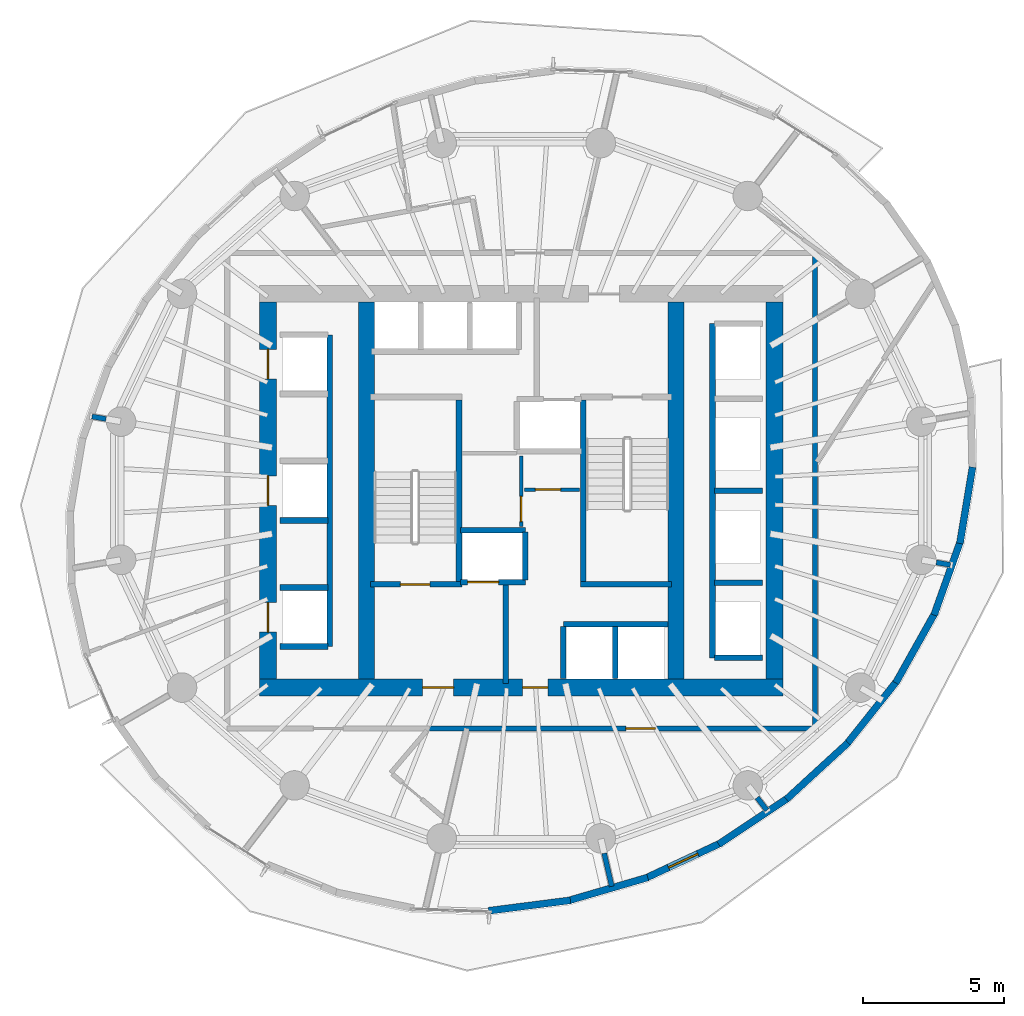
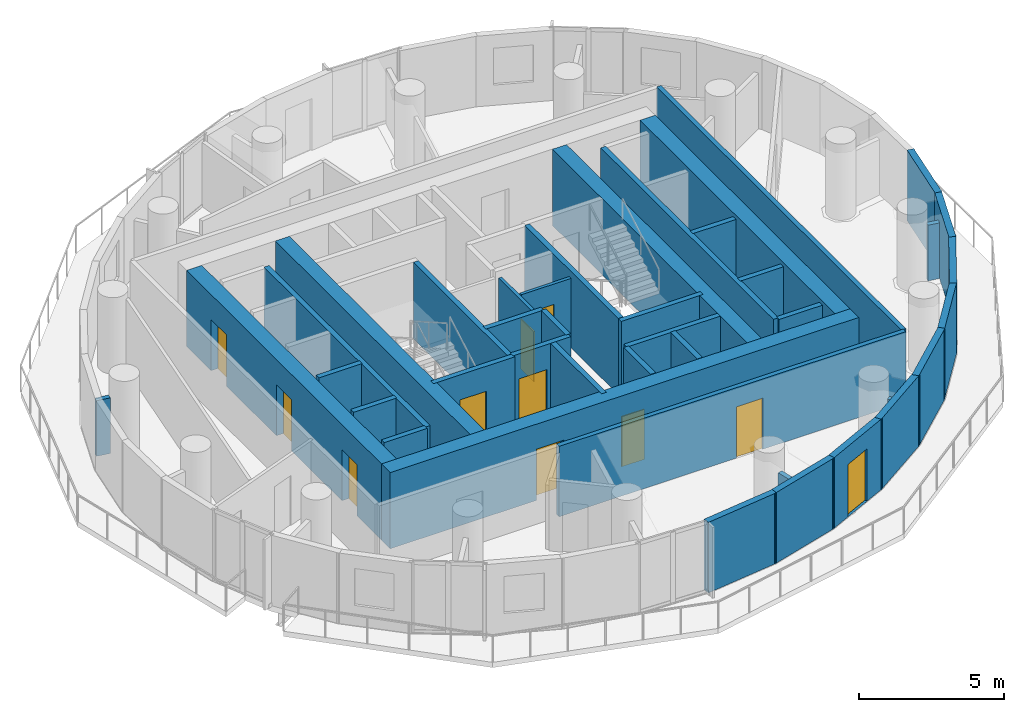
# One storey, part 6 of 13: 41 walls, 11 doors, 11 openings.
"""IFC4 building model written with IfcOpenShell, lengths in metres."""

from ifc_helpers import new_model, si_unit, direction, frame, frame_2d, origin, place, context, subcontext, project, spatial, rectangle, extrude, material, layer, layer_set, type_object, element, fill, save


model = new_model("IFC4")

# Units and contexts
model_context = context("Model", 3, precision=1e-05, world=origin(), true_north=direction((0.0, 1.0)))
body_context = subcontext(model_context, "Body", "Model", "MODEL_VIEW")
ifc_project = project(units=[si_unit("LENGTHUNIT", "METRE"), si_unit("AREAUNIT", "SQUARE_METRE"), si_unit("VOLUMEUNIT", "CUBIC_METRE"), si_unit("PLANEANGLEUNIT", "RADIAN"), si_unit("MASSUNIT", "GRAM", prefix="KILO")], contexts=[model_context])

# Site, building, storey
site_placement = place(None, origin())
site = spatial("IfcSite", under=ifc_project, at=site_placement, CompositionType="ELEMENT")
building_placement = place(site_placement, origin())
building = spatial("IfcBuilding", under=site, at=building_placement, Name="Veldorim Arch Residences", CompositionType="ELEMENT")
storey_placement = place(building_placement, frame((0.0, 0.0, 120.159912109375)))
storey = spatial("IfcBuildingStorey", under=building, at=storey_placement, Name="L35", CompositionType="ELEMENT", Elevation=120.159912109375)

# Wall, opening, door
ifc_material_1 = material(Name="Acoustic Gypsum Board", Category="gypsum")
ifc_layer_1 = layer(ifc_material_1, 0.125, Name="Acoustic Stud Room Partition Wall 125")
ifc_layer_set_1 = layer_set([ifc_layer_1], Name="Acoustic Gypsum Board")
wall_type_1 = type_object("IfcWallType", Name="Acoustic Stud Room Partition Wall 125", PredefinedType="PARTITIONING", material=ifc_layer_set_1)
wall_1_placement = place(storey_placement, frame((32.0, 22.719970703125, 0.0), z_axis=(0.0, 0.0, 1.0), x_axis=(0.0, 1.0, 0.0)))
wall_1 = element("IfcWall", 1, at=wall_1_placement, inside=storey, type_object=wall_type_1, Name="L35 interior wall WL-CA-L35-1", PredefinedType="PARTITIONING", context=body_context, shape_type="SweptSolid", body=[
    extrude(rectangle(XDim=2.52001953125, YDim=0.125, at=frame_2d((1.260009765625, 0.0))), origin(), (0.0, 0.0, 1.0), 2.955078125),
])
opening_1_placement = place(wall_1_placement, frame((0.179931640625, 0.0, 0.0)))
opening_1 = element("IfcOpeningElement", 2, at=opening_1_placement, cuts=wall_1, Name="Opening DR-SVC", PredefinedType="OPENING", context=body_context, shape_type="SweptSolid", body=[
    extrude(rectangle(XDim=0.89990234375, YDim=2.10009765625, at=frame_2d((0.449951171875, 1.050048828125))), frame((0.0, 0.072509765625, 0.0), z_axis=(0.0, -1.0, 0.0), x_axis=(1.0, 0.0, 0.0)), (0.0, 0.0, 1.0), 0.14501953125),
])
ifc_material_2 = material(Name="Fire-Rated Steel", Category="steel")
door_type_1 = type_object("IfcDoorType", Name="Riser, Shelter & Plant Room Rated Steel Door 900x2100", OperationType="SINGLE_SWING_LEFT", PredefinedType="DOOR", material=ifc_material_2)
door_1_placement = place(opening_1_placement, origin())
door_1 = element("IfcDoor", 3, at=door_1_placement, inside=storey, type_object=door_type_1, Name="L35 interior door DR-L35-CA2", OperationType="SINGLE_SWING_RIGHT", OverallHeight=2.10009765625, OverallWidth=0.89990234375, PredefinedType="DOOR", context=body_context, shape_type="SweptSolid", body=[
    extrude(rectangle(XDim=0.89990234375, YDim=2.10009765625, at=frame_2d((0.449951171875, 1.050048828125))), frame((0.0, 0.02490234375, 0.0), z_axis=(0.0, -1.0, 0.0), x_axis=(1.0, 0.0, 0.0)), (0.0, 0.0, 1.0), 0.050048828125),
])
fill(opening_1, door_1)

wall_2_placement = place(storey_placement, frame((32.110107421875, 24.0400390625, 0.0), z_axis=(0.0, 0.0, 1.0), x_axis=(1.0, 0.0, 0.0)))
wall_2 = element("IfcWall", 4, at=wall_2_placement, inside=storey, type_object=wall_type_1, Name="L35 interior wall WL-CA-L35-3", PredefinedType="PARTITIONING", context=body_context, shape_type="SweptSolid", body=[
    extrude(rectangle(XDim=1.969970703125, YDim=0.125, at=frame_2d((0.98486328125, 0.0))), origin(), (0.0, 0.0, 1.0), 2.955078125),
])
opening_2_placement = place(wall_2_placement, frame((0.389892578125, 0.0, 0.0)))
opening_2 = element("IfcOpeningElement", 5, at=opening_2_placement, cuts=wall_2, Name="Opening DR-INT", PredefinedType="OPENING", context=body_context, shape_type="SweptSolid", body=[
    extrude(rectangle(XDim=0.89990234375, YDim=2.10009765625, at=frame_2d((0.449951171875, 1.050048828125))), frame((0.0, 0.072509765625, 0.0), z_axis=(0.0, -1.0, 0.0), x_axis=(1.0, 0.0, 0.0)), (0.0, 0.0, 1.0), 0.14501953125),
])
ifc_material_3 = material(Name="Engineered Timber", Category="wood")
door_type_2 = type_object("IfcDoorType", Name="Apartment Internal Room Timber Door 900x2100", OperationType="SINGLE_SWING_LEFT", PredefinedType="DOOR", material=ifc_material_3)
door_2_placement = place(opening_2_placement, origin())
door_2 = element("IfcDoor", 6, at=door_2_placement, inside=storey, type_object=door_type_2, Name="L35 interior door DR-L35-CA1", OperationType="SINGLE_SWING_LEFT", OverallHeight=2.10009765625, OverallWidth=0.89990234375, PredefinedType="DOOR", context=body_context, shape_type="SweptSolid", body=[
    extrude(rectangle(XDim=0.89990234375, YDim=2.10009765625, at=frame_2d((0.449951171875, 1.050048828125))), frame((0.0, 0.02490234375, 0.0), z_axis=(0.0, -1.0, 0.0), x_axis=(1.0, 0.0, 0.0)), (0.0, 0.0, 1.0), 0.050048828125),
])
fill(opening_2, door_2)

# Walls
ifc_material_4 = material(Name="Lightweight Masonry Block & Gypsum", Category="masonry")
ifc_layer_2 = layer(ifc_material_4, 0.179931640625, Name="Compartment & Corridor Fire-Rated Party Wall 180")
ifc_layer_set_2 = layer_set([ifc_layer_2], Name="Lightweight Masonry Block & Gypsum")
wall_type_2 = type_object("IfcWallType", Name="Compartment & Corridor Fire-Rated Party Wall 180", PredefinedType="PARTITIONING", material=ifc_layer_set_2)
wall_3_placement = place(storey_placement, frame((17.24169921875, 26.55078125, 0.0), z_axis=(0.0, 0.0, 1.0), x_axis=(-0.985356748875, 0.170505358997, 0.0)))
element("IfcWall", 7, at=wall_3_placement, inside=storey, type_object=wall_type_2, Name="L35 interior wall WL-PIER-L35-08", PredefinedType="PARTITIONING", context=body_context, shape_type="SweptSolid", body=[
    extrude(rectangle(XDim=0.50537109375, YDim=0.179931640625, at=frame_2d((0.252685546875, 0.0))), origin(), (0.0, 0.0, 1.0), 2.3359375),
])
wall_4_placement = place(storey_placement, frame((34.950439453125, 11.11083984375, 0.0), z_axis=(0.0, 0.0, 1.0), x_axis=(0.22307190815, -0.974801992096, 0.0)))
element("IfcWall", 8, at=wall_4_placement, inside=storey, type_object=wall_type_2, Name="L35 interior wall WL-PIER-L35-13", PredefinedType="PARTITIONING", context=body_context, shape_type="SweptSolid", body=[
    extrude(rectangle(XDim=1.207275390625, YDim=0.179931640625, at=frame_2d((0.603515625, 0.0))), origin(), (0.0, 0.0, 1.0), 2.3359375),
])
wall_5_placement = place(storey_placement, frame((40.387939453125, 13.091552734375, 0.0), z_axis=(0.0, 0.0, 1.0), x_axis=(0.609627883901, -0.792687733708, 0.0)))
element("IfcWall", 9, at=wall_5_placement, inside=storey, type_object=wall_type_2, Name="L35 interior wall WL-PIER-L35-14", PredefinedType="PARTITIONING", context=body_context, shape_type="SweptSolid", body=[
    extrude(rectangle(XDim=0.569580078125, YDim=0.179931640625, at=frame_2d((0.28466796875, 0.0))), origin(), (0.0, 0.0, 1.0), 2.3359375),
])
wall_6_placement = place(storey_placement, frame((46.75830078125, 21.44921875, 0.0), z_axis=(0.0, 0.0, 1.0), x_axis=(0.985356748875, -0.170505358997, 0.0)))
element("IfcWall", 10, at=wall_6_placement, inside=storey, type_object=wall_type_2, Name="L35 interior wall WL-PIER-L35-16", PredefinedType="PARTITIONING", context=body_context, shape_type="SweptSolid", body=[
    extrude(rectangle(XDim=0.50537109375, YDim=0.179931640625, at=frame_2d((0.252685546875, 0.0))), origin(), (0.0, 0.0, 1.0), 2.3359375),
])

# Wall, opening, door
wall_7_placement = place(storey_placement, frame((42.449951171875, 15.550048828125, 0.0), z_axis=(0.0, 0.0, 1.0), x_axis=(-1.0, 0.0, 0.0)))
wall_7 = element("IfcWall", 11, at=wall_7_placement, inside=storey, type_object=wall_type_2, Name="L35 interior wall WL-RES-L35-001", PredefinedType="PARTITIONING", context=body_context, shape_type="SweptSolid", body=[
    extrude(rectangle(XDim=13.76025390625, YDim=0.179931640625, at=frame_2d((6.880126953125, 0.0))), origin(), (0.0, 0.0, 1.0), 2.955078125),
])
opening_3_placement = place(wall_7_placement, frame((5.677490234375, 0.0, 0.0)))
opening_3 = element("IfcOpeningElement", 12, at=opening_3_placement, cuts=wall_7, Name="Opening DR-FLT", PredefinedType="OPENING", context=body_context, shape_type="SweptSolid", body=[
    extrude(rectangle(XDim=1.050048828125, YDim=2.14990234375, at=frame_2d((0.52490234375, 1.074951171875))), frame((0.0, 0.099853515625, 0.0), z_axis=(0.0, -1.0, 0.0), x_axis=(1.0, 0.0, 0.0)), (0.0, 0.0, 1.0), 0.199951171875),
])
ifc_material_5 = material(Name="Fire-Rated Timber", Category="wood")
door_type_3 = type_object("IfcDoorType", Name="Apartment Entrance Solid-Core Fire Door 1050x2150", OperationType="SINGLE_SWING_LEFT", PredefinedType="DOOR", material=ifc_material_5)
door_3_placement = place(opening_3_placement, origin())
door_3 = element("IfcDoor", 13, at=door_3_placement, inside=storey, type_object=door_type_3, Name="L35 interior door DR-RES-L35-001", OperationType="SINGLE_SWING_LEFT", OverallHeight=2.14990234375, OverallWidth=1.050048828125, PredefinedType="DOOR", context=body_context, shape_type="SweptSolid", body=[
    extrude(rectangle(XDim=1.050048828125, YDim=2.14990234375, at=frame_2d((0.52490234375, 1.074951171875))), frame((0.0, 0.02490234375, 0.0), z_axis=(0.0, -1.0, 0.0), x_axis=(1.0, 0.0, 0.0)), (0.0, 0.0, 1.0), 0.050048828125),
])
fill(opening_3, door_3)

# Walls
wall_8_placement = place(storey_placement, frame((42.449951171875, 32.449951171875, 0.0), z_axis=(0.0, 0.0, 1.0), x_axis=(0.0, -1.0, 0.0)))
element("IfcWall", 14, at=wall_8_placement, inside=storey, type_object=wall_type_2, Name="L35 interior wall WL-RES-L35-002", PredefinedType="PARTITIONING", context=body_context, shape_type="SweptSolid", body=[
    extrude(rectangle(XDim=16.83984375, YDim=0.179931640625, at=frame_2d((8.419921875, 0.0))), origin(), (0.0, 0.0, 1.0), 2.955078125),
])
ifc_material_6 = material(Name="Concrete C50/60", Category="concrete")
ifc_layer_3 = layer(ifc_material_6, 0.199951171875, Name="Core Stair & Lift Shaft Enclosure Wall 200")
ifc_layer_set_3 = layer_set([ifc_layer_3], Name="Concrete C50/60")
wall_type_3 = type_object("IfcWallType", Name="Core Stair & Lift Shaft Enclosure Wall 200", PredefinedType="SHEAR", material=ifc_layer_set_3)
wall_9_placement = place(storey_placement, frame((29.7900390625, 20.780029296875, 0.0), z_axis=(0.0, 0.0, 1.0), x_axis=(0.0, 1.0, 0.0)))
element("IfcWall", 15, at=wall_9_placement, inside=storey, type_object=wall_type_3, Name="L35 shaft wall WL-SHF-L35-ST1-E", PredefinedType="SHEAR", context=body_context, shape_type="SweptSolid", body=[
    extrude(rectangle(XDim=6.43994140625, YDim=0.199951171875, at=frame_2d((3.219970703125, 0.0))), origin(), (0.0, 0.0, 1.0), 3.2001953125),
])

# Wall, opening, door
wall_10_placement = place(storey_placement, frame((26.64990234375, 20.669921875, 0.0), z_axis=(0.0, 0.0, 1.0), x_axis=(1.0, 0.0, 0.0)))
wall_10 = element("IfcWall", 16, at=wall_10_placement, inside=storey, type_object=wall_type_3, Name="L35 shaft wall WL-SHF-L35-ST1-S", PredefinedType="SHEAR", context=body_context, shape_type="SweptSolid", body=[
    extrude(rectangle(XDim=3.239990234375, YDim=0.199951171875, at=frame_2d((1.6201171875, 0.0))), origin(), (0.0, 0.0, 1.0), 3.2001953125),
])
opening_4_placement = place(wall_10_placement, frame((1.054931640625, 0.0, 0.0)))
opening_4 = element("IfcOpeningElement", 17, at=opening_4_placement, cuts=wall_10, Name="Opening DR-ST", PredefinedType="OPENING", context=body_context, shape_type="SweptSolid", body=[
    extrude(rectangle(XDim=1.050048828125, YDim=2.14990234375, at=frame_2d((0.52490234375, 1.074951171875))), frame((0.0, 0.10986328125, 0.0), z_axis=(0.0, -1.0, 0.0), x_axis=(1.0, 0.0, 0.0)), (0.0, 0.0, 1.0), 0.219970703125),
])
ifc_material_7 = material(Name="Fire-Rated Steel", Category="steel")
door_type_4 = type_object("IfcDoorType", Name="Exit Staircase Self-Closing Fire Door 1050x2150", OperationType="SINGLE_SWING_LEFT", PredefinedType="DOOR", material=ifc_material_7)
door_4_placement = place(opening_4_placement, origin())
door_4 = element("IfcDoor", 18, at=door_4_placement, inside=storey, type_object=door_type_4, Name="L35 interior door DR-L35-ST1", OperationType="SINGLE_SWING_LEFT", OverallHeight=2.14990234375, OverallWidth=1.050048828125, PredefinedType="DOOR", context=body_context, shape_type="SweptSolid", body=[
    extrude(rectangle(XDim=1.050048828125, YDim=2.14990234375, at=frame_2d((0.52490234375, 1.074951171875))), frame((0.0, 0.02490234375, 0.0), z_axis=(0.0, -1.0, 0.0), x_axis=(1.0, 0.0, 0.0)), (0.0, 0.0, 1.0), 0.050048828125),
])
fill(opening_4, door_4)

# Walls
wall_11_placement = place(storey_placement, frame((34.2099609375, 20.780029296875, 0.0), z_axis=(0.0, 0.0, 1.0), x_axis=(0.0, 1.0, 0.0)))
element("IfcWall", 19, at=wall_11_placement, inside=storey, type_object=wall_type_3, Name="L35 shaft wall WL-SHF-L35-ST2-W", PredefinedType="SHEAR", context=body_context, shape_type="SweptSolid", body=[
    extrude(rectangle(XDim=6.43994140625, YDim=0.199951171875, at=frame_2d((3.219970703125, 0.0))), origin(), (0.0, 0.0, 1.0), 3.2001953125),
])
wall_12_placement = place(storey_placement, frame((34.110107421875, 20.669921875, 0.0), z_axis=(0.0, 0.0, 1.0), x_axis=(1.0, 0.0, 0.0)))
element("IfcWall", 20, at=wall_12_placement, inside=storey, type_object=wall_type_3, Name="L35 shaft wall WL-SHF-L35-ST2-S", PredefinedType="SHEAR", context=body_context, shape_type="SweptSolid", body=[
    extrude(rectangle(XDim=3.239990234375, YDim=0.199951171875, at=frame_2d((1.6201171875, 0.0))), origin(), (0.0, 0.0, 1.0), 3.2001953125),
])
wall_13_placement = place(storey_placement, frame((31.449951171875, 17.14990234375, 0.0), z_axis=(0.0, 0.0, 1.0), x_axis=(0.0, 1.0, 0.0)))
element("IfcWall", 21, at=wall_13_placement, inside=storey, type_object=wall_type_3, Name="L35 shaft wall WL-FFL1-L35-E", PredefinedType="SHEAR", context=body_context, shape_type="SweptSolid", body=[
    extrude(rectangle(XDim=3.5, YDim=0.199951171875, at=frame_2d((1.75, 0.0))), origin(), (0.0, 0.0, 1.0), 3.2001953125),
])

# Wall, opening, door
wall_14_placement = place(storey_placement, frame((29.85009765625, 20.75, 0.0), z_axis=(0.0, 0.0, 1.0), x_axis=(1.0, 0.0, 0.0)))
wall_14 = element("IfcWall", 22, at=wall_14_placement, inside=storey, type_object=wall_type_3, Name="L35 shaft wall WL-FL01-L35-S", PredefinedType="SHEAR", context=body_context, shape_type="SweptSolid", body=[
    extrude(rectangle(XDim=2.2998046875, YDim=0.199951171875, at=frame_2d((1.14990234375, 0.0))), origin(), (0.0, 0.0, 1.0), 3.2001953125),
])
opening_5_placement = place(wall_14_placement, frame((0.25, 0.0, 0.0)))
opening_5 = element("IfcOpeningElement", 23, at=opening_5_placement, cuts=wall_14, Name="Opening LD-FF", PredefinedType="OPENING", context=body_context, shape_type="SweptSolid", body=[
    extrude(rectangle(XDim=1.10009765625, YDim=2.14990234375, at=frame_2d((0.550048828125, 1.074951171875))), frame((0.0, 0.10986328125, 0.0), z_axis=(0.0, -1.0, 0.0), x_axis=(1.0, 0.0, 0.0)), (0.0, 0.0, 1.0), 0.219970703125),
])
ifc_material_8 = material(Name="Stainless Steel", Category="steel")
door_type_5 = type_object("IfcDoorType", Name="Firefighting Lift Bi-Parting Sliding Landing Door 1100x2150", OperationType="DOUBLE_DOOR_SLIDING", PredefinedType="DOOR", material=ifc_material_8)
door_5_placement = place(opening_5_placement, origin())
door_5 = element("IfcDoor", 24, at=door_5_placement, inside=storey, type_object=door_type_5, Name="L35 lift landing door LD-L35-FL01", OperationType="DOUBLE_DOOR_SLIDING", OverallHeight=2.14990234375, OverallWidth=1.10009765625, PredefinedType="DOOR", context=body_context, shape_type="SweptSolid", body=[
    extrude(rectangle(XDim=1.10009765625, YDim=2.14990234375, at=frame_2d((0.550048828125, 1.074951171875))), frame((0.0, 0.02490234375, 0.0), z_axis=(0.0, -1.0, 0.0), x_axis=(1.0, 0.0, 0.0)), (0.0, 0.0, 1.0), 0.050048828125),
])
fill(opening_5, door_5)

# Walls
wall_15_placement = place(storey_placement, frame((29.85009765625, 22.60009765625, 0.0), z_axis=(0.0, 0.0, 1.0), x_axis=(1.0, 0.0, 0.0)))
element("IfcWall", 25, at=wall_15_placement, inside=storey, type_object=wall_type_3, Name="L35 shaft wall WL-FL01-L35-N", PredefinedType="SHEAR", context=body_context, shape_type="SweptSolid", body=[
    extrude(rectangle(XDim=2.2998046875, YDim=0.199951171875, at=frame_2d((1.14990234375, 0.0))), origin(), (0.0, 0.0, 1.0), 3.2001953125),
])
wall_16_placement = place(storey_placement, frame((32.14990234375, 20.820068359375, 0.0), z_axis=(0.0, 0.0, 1.0), x_axis=(0.0, 1.0, 0.0)))
element("IfcWall", 26, at=wall_16_placement, inside=storey, type_object=wall_type_3, Name="L35 shaft wall WL-FL01-L35-E", PredefinedType="SHEAR", context=body_context, shape_type="SweptSolid", body=[
    extrude(rectangle(XDim=1.7099609375, YDim=0.199951171875, at=frame_2d((0.85498046875, 0.0))), origin(), (0.0, 0.0, 1.0), 3.2001953125),
])
wall_17_placement = place(storey_placement, frame((38.800048828125, 18.06005859375, 0.0), z_axis=(0.0, 0.0, 1.0), x_axis=(0.0, 1.0, 0.0)))
element("IfcWall", 27, at=wall_17_placement, inside=storey, type_object=wall_type_3, Name="L35 shaft wall WL-B1-L35-W", PredefinedType="SHEAR", context=body_context, shape_type="SweptSolid", body=[
    extrude(rectangle(XDim=11.8798828125, YDim=0.199951171875, at=frame_2d((5.93994140625, 0.0))), origin(), (0.0, 0.0, 1.0), 3.2001953125),
])
for number, where, z_axis, x_axis, name in (
    (28, (38.8701171875, 18.06005859375, 0.0), (0.0, 0.0, 1.0), (1.0, 0.0, 0.0), "L35 shaft wall WL-B1-L35-S"),
    (29, (38.8701171875, 20.72509765625, 0.0), (0.0, 0.0, 1.0), (1.0, 0.0, 0.0), "L35 shaft wall WL-B1-L35-D1"),
    (30, (38.8701171875, 24.0, 0.0), (0.0, 0.0, 1.0), (1.0, 0.0, 0.0), "L35 shaft wall WL-B1-L35-D2"),
):
    element("IfcWall", number, at=place(storey_placement, frame(where, z_axis=z_axis, x_axis=x_axis)), inside=storey, type_object=wall_type_3, Name=name, PredefinedType="SHEAR", context=body_context, shape_type="SweptSolid", body=[
        extrude(rectangle(XDim=1.7099609375, YDim=0.199951171875, at=frame_2d((0.85498046875, 0.0))), origin(), (0.0, 0.0, 1.0), 3.2001953125),
    ])
wall_18_placement = place(storey_placement, frame((25.199951171875, 18.4599609375, 0.0), z_axis=(0.0, 0.0, 1.0), x_axis=(0.0, 1.0, 0.0)))
element("IfcWall", 31, at=wall_18_placement, inside=storey, type_object=wall_type_3, Name="L35 shaft wall WL-B2-L35-E", PredefinedType="SHEAR", context=body_context, shape_type="SweptSolid", body=[
    extrude(rectangle(XDim=11.080078125, YDim=0.199951171875, at=frame_2d((5.5400390625, 0.0))), origin(), (0.0, 0.0, 1.0), 3.2001953125),
])
for number, where, z_axis, x_axis, name in (
    (32, (23.419921875, 18.4599609375, 0.0), (0.0, 0.0, 1.0), (1.0, 0.0, 0.0), "L35 shaft wall WL-B2-L35-S"),
    (33, (23.419921875, 20.56005859375, 0.0), (0.0, 0.0, 1.0), (1.0, 0.0, 0.0), "L35 shaft wall WL-B2-L35-D1A"),
    (34, (23.419921875, 22.93994140625, 0.0), (0.0, 0.0, 1.0), (1.0, 0.0, 0.0), "L35 shaft wall WL-B2-L35-D1B"),
):
    element("IfcWall", number, at=place(storey_placement, frame(where, z_axis=z_axis, x_axis=x_axis)), inside=storey, type_object=wall_type_3, Name=name, PredefinedType="SHEAR", context=body_context, shape_type="SweptSolid", body=[
        extrude(rectangle(XDim=1.7099609375, YDim=0.199951171875, at=frame_2d((0.85498046875, 0.0))), origin(), (0.0, 0.0, 1.0), 3.2001953125),
    ])
wall_19_placement = place(storey_placement, frame((33.5, 19.25, 0.0), z_axis=(0.0, 0.0, 1.0), x_axis=(1.0, 0.0, 0.0)))
element("IfcWall", 35, at=wall_19_placement, inside=storey, type_object=wall_type_3, Name="L35 shaft wall WL-OL-L35-N", PredefinedType="SHEAR", context=body_context, shape_type="SweptSolid", body=[
    extrude(rectangle(XDim=3.719970703125, YDim=0.199951171875, at=frame_2d((1.85986328125, 0.0))), origin(), (0.0, 0.0, 1.0), 3.2001953125),
])
for number, where, z_axis, x_axis, name in (
    (36, (33.5, 17.320068359375, 0.0), (0.0, 0.0, 1.0), (0.0, 1.0, 0.0), "L35 shaft wall WL-OL-L35-W"),
    (37, (35.35009765625, 17.320068359375, 0.0), (0.0, 0.0, 1.0), (0.0, 1.0, 0.0), "L35 shaft wall WL-OL-L35-D1"),
):
    element("IfcWall", number, at=place(storey_placement, frame(where, z_axis=z_axis, x_axis=x_axis)), inside=storey, type_object=wall_type_3, Name=name, PredefinedType="SHEAR", context=body_context, shape_type="SweptSolid", body=[
        extrude(rectangle(XDim=1.85986328125, YDim=0.199951171875, at=frame_2d((0.929931640625, 0.0))), origin(), (0.0, 0.0, 1.0), 3.2001953125),
    ])

# Wall, openings, doors
ifc_material_9 = material(Name="Concrete C50/60", Category="concrete")
ifc_layer_4 = layer(ifc_material_9, 0.60009765625, Name="Mid-Upper Central Core Shear Wall 600")
ifc_layer_set_4 = layer_set([ifc_layer_4], Name="Concrete C50/60")
wall_type_4 = type_object("IfcWallType", Name="Mid-Upper Central Core Shear Wall 600", PredefinedType="SHEAR", material=ifc_layer_set_4)
wall_20_placement = place(storey_placement, frame((22.699951171875, 17.0, 0.0), z_axis=(0.0, 0.0, 1.0), x_axis=(1.0, 0.0, 0.0)))
wall_20 = element("IfcWall", 38, at=wall_20_placement, inside=storey, type_object=wall_type_4, Name="L35 central core south shear wall", PredefinedType="SHEAR", context=body_context, shape_type="SweptSolid", body=[
    extrude(rectangle(XDim=18.60009765625, YDim=0.60009765625, at=frame_2d((9.300048828125, 0.0))), origin(), (0.0, 0.0, 1.0), 3.2001953125),
])
opening_6_placement = place(wall_20_placement, frame((5.800048828125, 0.0, 0.0)))
opening_6 = element("IfcOpeningElement", 39, at=opening_6_placement, cuts=wall_20, Name="Opening DR-FFL", PredefinedType="OPENING", context=body_context, shape_type="SweptSolid", body=[
    extrude(rectangle(XDim=1.10009765625, YDim=2.14990234375, at=frame_2d((0.550048828125, 1.074951171875))), frame((0.0, 0.31005859375, 0.0), z_axis=(0.0, -1.0, 0.0), x_axis=(1.0, 0.0, 0.0)), (0.0, 0.0, 1.0), 0.6201171875),
])
opening_7_placement = place(wall_20_placement, frame((9.35009765625, 0.0, 0.0)))
opening_7 = element("IfcOpeningElement", 40, at=opening_7_placement, cuts=wall_20, Name="Opening DR-SVC", PredefinedType="OPENING", context=body_context, shape_type="SweptSolid", body=[
    extrude(rectangle(XDim=0.89990234375, YDim=2.10009765625, at=frame_2d((0.449951171875, 1.050048828125))), frame((0.0, 0.31005859375, 0.0), z_axis=(0.0, -1.0, 0.0), x_axis=(1.0, 0.0, 0.0)), (0.0, 0.0, 1.0), 0.6201171875),
])
ifc_material_10 = material(Name="Fire-Rated Steel & Vision Glass", Category="steel")
door_type_6 = type_object("IfcDoorType", Name="Firefighting Lobby Smoke-Stop Fire Door 1100x2150", OperationType="SINGLE_SWING_LEFT", PredefinedType="DOOR", material=ifc_material_10)
door_6_placement = place(opening_6_placement, origin())
door_6 = element("IfcDoor", 41, at=door_6_placement, inside=storey, type_object=door_type_6, Name="L35 interior door DR-L35-FFL1", OperationType="SINGLE_SWING_RIGHT", OverallHeight=2.14990234375, OverallWidth=1.10009765625, PredefinedType="DOOR", context=body_context, shape_type="SweptSolid", body=[
    extrude(rectangle(XDim=1.10009765625, YDim=2.14990234375, at=frame_2d((0.550048828125, 1.074951171875))), frame((0.0, 0.02490234375, 0.0), z_axis=(0.0, -1.0, 0.0), x_axis=(1.0, 0.0, 0.0)), (0.0, 0.0, 1.0), 0.050048828125),
])
fill(opening_6, door_6)
door_7_placement = place(opening_7_placement, origin())
door_7 = element("IfcDoor", 42, at=door_7_placement, inside=storey, type_object=door_type_1, Name="L35 interior door DR-L35-COR-ANC", OperationType="SINGLE_SWING_LEFT", OverallHeight=2.10009765625, OverallWidth=0.89990234375, PredefinedType="DOOR", context=body_context, shape_type="SweptSolid", body=[
    extrude(rectangle(XDim=0.89990234375, YDim=2.10009765625, at=frame_2d((0.449951171875, 1.050048828125))), frame((0.0, 0.02490234375, 0.0), z_axis=(0.0, -1.0, 0.0), x_axis=(1.0, 0.0, 0.0)), (0.0, 0.0, 1.0), 0.050048828125),
])
fill(opening_7, door_7)

wall_21_placement = place(storey_placement, frame((23.0, 17.300048828125, 0.0), z_axis=(0.0, 0.0, 1.0), x_axis=(0.0, 1.0, 0.0)))
wall_21 = element("IfcWall", 43, at=wall_21_placement, inside=storey, type_object=wall_type_4, Name="L35 central core west shear wall", PredefinedType="SHEAR", context=body_context, shape_type="SweptSolid", body=[
    extrude(rectangle(XDim=13.39990234375, YDim=0.60009765625, at=frame_2d((6.699951171875, 0.0))), origin(), (0.0, 0.0, 1.0), 3.2001953125),
])
opening_8_placement = place(wall_21_placement, frame((1.675048828125, 0.0, 0.0)))
opening_8 = element("IfcOpeningElement", 44, at=opening_8_placement, cuts=wall_21, Name="Opening LD-PS", PredefinedType="OPENING", context=body_context, shape_type="SweptSolid", body=[
    extrude(rectangle(XDim=1.050048828125, YDim=2.14990234375, at=frame_2d((0.52490234375, 1.074951171875))), frame((0.0, 0.31005859375, 0.0), z_axis=(0.0, -1.0, 0.0), x_axis=(1.0, 0.0, 0.0)), (0.0, 0.0, 1.0), 0.6201171875),
])
opening_9_placement = place(wall_21_placement, frame((6.175048828125, 0.0, 0.0)))
opening_9 = element("IfcOpeningElement", 45, at=opening_9_placement, cuts=wall_21, Name="Opening LD-PS", PredefinedType="OPENING", context=body_context, shape_type="SweptSolid", body=[
    extrude(rectangle(XDim=1.050048828125, YDim=2.14990234375, at=frame_2d((0.52490234375, 1.074951171875))), frame((0.0, 0.31005859375, 0.0), z_axis=(0.0, -1.0, 0.0), x_axis=(1.0, 0.0, 0.0)), (0.0, 0.0, 1.0), 0.6201171875),
])
opening_10_placement = place(wall_21_placement, frame((10.675048828125, 0.0, 0.0)))
opening_10 = element("IfcOpeningElement", 46, at=opening_10_placement, cuts=wall_21, Name="Opening LD-PS", PredefinedType="OPENING", context=body_context, shape_type="SweptSolid", body=[
    extrude(rectangle(XDim=1.050048828125, YDim=2.14990234375, at=frame_2d((0.52490234375, 1.074951171875))), frame((0.0, 0.31005859375, 0.0), z_axis=(0.0, -1.0, 0.0), x_axis=(1.0, 0.0, 0.0)), (0.0, 0.0, 1.0), 0.6201171875),
])
ifc_material_11 = material(Name="Stainless Steel", Category="steel")
door_type_7 = type_object("IfcDoorType", Name="Passenger Lift Bi-Parting Sliding Landing Door 1050x2150", OperationType="DOUBLE_DOOR_SLIDING", PredefinedType="DOOR", material=ifc_material_11)
door_8_placement = place(opening_8_placement, origin())
door_8 = element("IfcDoor", 47, at=door_8_placement, inside=storey, type_object=door_type_7, Name="L35 lift landing door LD-L35-PL-05", OperationType="DOUBLE_DOOR_SLIDING", OverallHeight=2.14990234375, OverallWidth=1.050048828125, PredefinedType="DOOR", context=body_context, shape_type="SweptSolid", body=[
    extrude(rectangle(XDim=1.050048828125, YDim=2.14990234375, at=frame_2d((0.52490234375, 1.074951171875))), frame((0.0, 0.02490234375, 0.0), z_axis=(0.0, -1.0, 0.0), x_axis=(1.0, 0.0, 0.0)), (0.0, 0.0, 1.0), 0.050048828125),
])
fill(opening_8, door_8)
door_9_placement = place(opening_9_placement, origin())
door_9 = element("IfcDoor", 48, at=door_9_placement, inside=storey, type_object=door_type_7, Name="L35 lift landing door LD-L35-PL-06", OperationType="DOUBLE_DOOR_SLIDING", OverallHeight=2.14990234375, OverallWidth=1.050048828125, PredefinedType="DOOR", context=body_context, shape_type="SweptSolid", body=[
    extrude(rectangle(XDim=1.050048828125, YDim=2.14990234375, at=frame_2d((0.52490234375, 1.074951171875))), frame((0.0, 0.02490234375, 0.0), z_axis=(0.0, -1.0, 0.0), x_axis=(1.0, 0.0, 0.0)), (0.0, 0.0, 1.0), 0.050048828125),
])
fill(opening_9, door_9)
door_10_placement = place(opening_10_placement, origin())
door_10 = element("IfcDoor", 49, at=door_10_placement, inside=storey, type_object=door_type_7, Name="L35 lift landing door LD-L35-PL-07", OperationType="DOUBLE_DOOR_SLIDING", OverallHeight=2.14990234375, OverallWidth=1.050048828125, PredefinedType="DOOR", context=body_context, shape_type="SweptSolid", body=[
    extrude(rectangle(XDim=1.050048828125, YDim=2.14990234375, at=frame_2d((0.52490234375, 1.074951171875))), frame((0.0, 0.02490234375, 0.0), z_axis=(0.0, -1.0, 0.0), x_axis=(1.0, 0.0, 0.0)), (0.0, 0.0, 1.0), 0.050048828125),
])
fill(opening_10, door_10)

# Walls
wall_22_placement = place(storey_placement, frame((41.0, 17.300048828125, 0.0), z_axis=(0.0, 0.0, 1.0), x_axis=(0.0, 1.0, 0.0)))
element("IfcWall", 50, at=wall_22_placement, inside=storey, type_object=wall_type_4, Name="L35 central core east shear wall", PredefinedType="SHEAR", context=body_context, shape_type="SweptSolid", body=[
    extrude(rectangle(XDim=13.39990234375, YDim=0.60009765625, at=frame_2d((6.699951171875, 0.0))), origin(), (0.0, 0.0, 1.0), 3.2001953125),
])
ifc_material_12 = material(Name="Precast concrete C40/50", Category="concrete")
ifc_layer_5 = layer(ifc_material_12, 0.25, Name="Tower Terracotta Spandrel & Pier Wall 250")
ifc_layer_set_5 = layer_set([ifc_layer_5], Name="Precast concrete C40/50")
wall_type_5 = type_object("IfcWallType", Name="Tower Terracotta Spandrel & Pier Wall 250", PredefinedType="SOLIDWALL", material=ifc_layer_set_5)
wall_23_placement = place(storey_placement, frame((33.75048828125, 9.438720703125, 0.0), z_axis=(0.0, 0.0, 1.0), x_axis=(-0.991825107288, -0.1276046886, 0.0)))
element("IfcWall", 51, at=wall_23_placement, inside=storey, type_object=wall_type_5, Name="L35 terracotta facade wall 25", PredefinedType="SOLIDWALL", context=body_context, shape_type="SweptSolid", body=[
    extrude(rectangle(XDim=2.936767578125, YDim=0.25, at=frame_2d((1.46826171875, 0.0))), origin(), (0.0, 0.0, 1.0), 2.960205078125),
])
wall_24_placement = place(storey_placement, frame((36.501220703125, 10.251220703125, 0.0), z_axis=(0.0, 0.0, 1.0), x_axis=(-0.95988234126, -0.280403086532, 0.0)))
element("IfcWall", 52, at=wall_24_placement, inside=storey, type_object=wall_type_5, Name="L35 terracotta facade wall 26", PredefinedType="SOLIDWALL", context=body_context, shape_type="SweptSolid", body=[
    extrude(rectangle(XDim=2.976806640625, YDim=0.25, at=frame_2d((1.48828125, 0.0))), origin(), (0.0, 0.0, 1.0), 2.960205078125),
])

# Wall, opening, door
wall_25_placement = place(storey_placement, frame((39.11572265625, 11.482421875, 0.0), z_axis=(0.0, 0.0, 1.0), x_axis=(-0.905937522846, -0.42341138943, 0.0)))
wall_25 = element("IfcWall", 53, at=wall_25_placement, inside=storey, type_object=wall_type_5, Name="L35 terracotta facade wall 27", PredefinedType="SOLIDWALL", context=body_context, shape_type="SweptSolid", body=[
    extrude(rectangle(XDim=2.998291015625, YDim=0.25, at=frame_2d((1.4990234375, 0.0))), origin(), (0.0, 0.0, 1.0), 2.960205078125),
])
opening_11_placement = place(wall_25_placement, frame((0.924072265625, 0.0, 0.0)))
opening_11 = element("IfcOpeningElement", 54, at=opening_11_placement, cuts=wall_25, Name="Opening BL-DR", PredefinedType="OPENING", context=body_context, shape_type="SweptSolid", body=[
    extrude(rectangle(XDim=1.14990234375, YDim=2.199951171875, at=frame_2d((0.574951171875, 1.10009765625))), frame((0.0, 0.135009765625, 0.0), z_axis=(0.0, -1.0, 0.0), x_axis=(1.0, 0.0, 0.0)), (0.0, 0.0, 1.0), 0.27001953125),
])
ifc_material_13 = material(Name="Aluminium & Low-E Glass", Category="aluminium")
door_type_8 = type_object("IfcDoorType", Name="Glazed Planted Balcony Door 1150x2200", OperationType="SINGLE_SWING_LEFT", PredefinedType="DOOR", material=ifc_material_13)
door_11_placement = place(opening_11_placement, origin())
door_11 = element("IfcDoor", 55, at=door_11_placement, inside=storey, type_object=door_type_8, Name="L35 glazed outdoor terrace door BALC-2", OperationType="SINGLE_SWING_LEFT", OverallHeight=2.199951171875, OverallWidth=1.14990234375, PredefinedType="DOOR", context=body_context, shape_type="SweptSolid", body=[
    extrude(rectangle(XDim=1.14990234375, YDim=2.199951171875, at=frame_2d((0.574951171875, 1.10009765625))), frame((0.0, 0.02490234375, 0.0), z_axis=(0.0, -1.0, 0.0), x_axis=(1.0, 0.0, 0.0)), (0.0, 0.0, 1.0), 0.050048828125),
])
fill(opening_11, door_11)

# Walls
wall_26_placement = place(storey_placement, frame((41.51416015625, 13.094482421875, 0.0), z_axis=(0.0, 0.0, 1.0), x_axis=(-0.831523781892, -0.555489153943, 0.0)))
element("IfcWall", 56, at=wall_26_placement, inside=storey, type_object=wall_type_5, Name="L35 terracotta facade wall 28", PredefinedType="SOLIDWALL", context=body_context, shape_type="SweptSolid", body=[
    extrude(rectangle(XDim=2.998291015625, YDim=0.25, at=frame_2d((1.4990234375, 0.0))), origin(), (0.0, 0.0, 1.0), 2.960205078125),
])
wall_27_placement = place(storey_placement, frame((43.622802734375, 15.039306640625, 0.0), z_axis=(0.0, 0.0, 1.0), x_axis=(-0.737072437991, -0.675813747384, 0.0)))
element("IfcWall", 57, at=wall_27_placement, inside=storey, type_object=wall_type_5, Name="L35 terracotta facade wall 29", PredefinedType="SOLIDWALL", context=body_context, shape_type="SweptSolid", body=[
    extrude(rectangle(XDim=2.97705078125, YDim=0.25, at=frame_2d((1.488525390625, 0.0))), origin(), (0.0, 0.0, 1.0), 2.960205078125),
])
wall_28_placement = place(storey_placement, frame((45.377685546875, 17.2568359375, 0.0), z_axis=(0.0, 0.0, 1.0), x_axis=(-0.62291924477, -0.782286146174, 0.0)))
element("IfcWall", 58, at=wall_28_placement, inside=storey, type_object=wall_type_5, Name="L35 terracotta facade wall 30", PredefinedType="SOLIDWALL", context=body_context, shape_type="SweptSolid", body=[
    extrude(rectangle(XDim=2.936767578125, YDim=0.25, at=frame_2d((1.46826171875, 0.0))), origin(), (0.0, 0.0, 1.0), 2.960205078125),
])
wall_29_placement = place(storey_placement, frame((46.725341796875, 19.6796875, 0.0), z_axis=(0.0, 0.0, 1.0), x_axis=(-0.488840693739, -0.872373071652, 0.0)))
element("IfcWall", 59, at=wall_29_placement, inside=storey, type_object=wall_type_5, Name="L35 terracotta facade wall 31", PredefinedType="SOLIDWALL", context=body_context, shape_type="SweptSolid", body=[
    extrude(rectangle(XDim=2.881591796875, YDim=0.25, at=frame_2d((1.44091796875, 0.0))), origin(), (0.0, 0.0, 1.0), 2.960205078125),
])
wall_30_placement = place(storey_placement, frame((47.62451171875, 22.233154296875, 0.0), z_axis=(0.0, 0.0, 1.0), x_axis=(-0.335397655518, -0.942076649043, 0.0)))
element("IfcWall", 60, at=wall_30_placement, inside=storey, type_object=wall_type_5, Name="L35 terracotta facade wall 32", PredefinedType="SOLIDWALL", context=body_context, shape_type="SweptSolid", body=[
    extrude(rectangle(XDim=2.81787109375, YDim=0.25, at=frame_2d((1.408935546875, 0.0))), origin(), (0.0, 0.0, 1.0), 2.960205078125),
])
wall_31_placement = place(storey_placement, frame((48.048095703125, 24.839599609375, 0.0), z_axis=(0.0, 0.0, 1.0), x_axis=(-0.164125638075, -0.986439443112, 0.0)))
element("IfcWall", 61, at=wall_31_placement, inside=storey, type_object=wall_type_5, Name="L35 terracotta facade wall 33", PredefinedType="SOLIDWALL", context=body_context, shape_type="SweptSolid", body=[
    extrude(rectangle(XDim=2.751953125, YDim=0.25, at=frame_2d((1.3759765625, 0.0))), origin(), (0.0, 0.0, 1.0), 2.960205078125),
])
ifc_material_14 = material(Name="Concrete C50/60", Category="concrete")
ifc_layer_6 = layer(ifc_material_14, 0.56005859375, Name="Upper Internal Core Shear Web Wall 560")
ifc_layer_set_6 = layer_set([ifc_layer_6], Name="Concrete C50/60")
wall_type_6 = type_object("IfcWallType", Name="Upper Internal Core Shear Web Wall 560", PredefinedType="SHEAR", material=ifc_layer_set_6)
for number, where, z_axis, x_axis, name in (
    (62, (26.5, 17.300048828125, 0.0), (0.0, 0.0, 1.0), (0.0, 1.0, 0.0), "L35 core west internal shear web"),
    (63, (37.5, 17.300048828125, 0.0), (0.0, 0.0, 1.0), (0.0, 1.0, 0.0), "L35 core east internal shear web"),
):
    element("IfcWall", number, at=place(storey_placement, frame(where, z_axis=z_axis, x_axis=x_axis)), inside=storey, type_object=wall_type_6, Name=name, PredefinedType="SHEAR", context=body_context, shape_type="SweptSolid", body=[
        extrude(rectangle(XDim=13.39990234375, YDim=0.56005859375, at=frame_2d((6.699951171875, 0.0))), origin(), (0.0, 0.0, 1.0), 3.2001953125),
    ])

save(model, "model.ifc")
